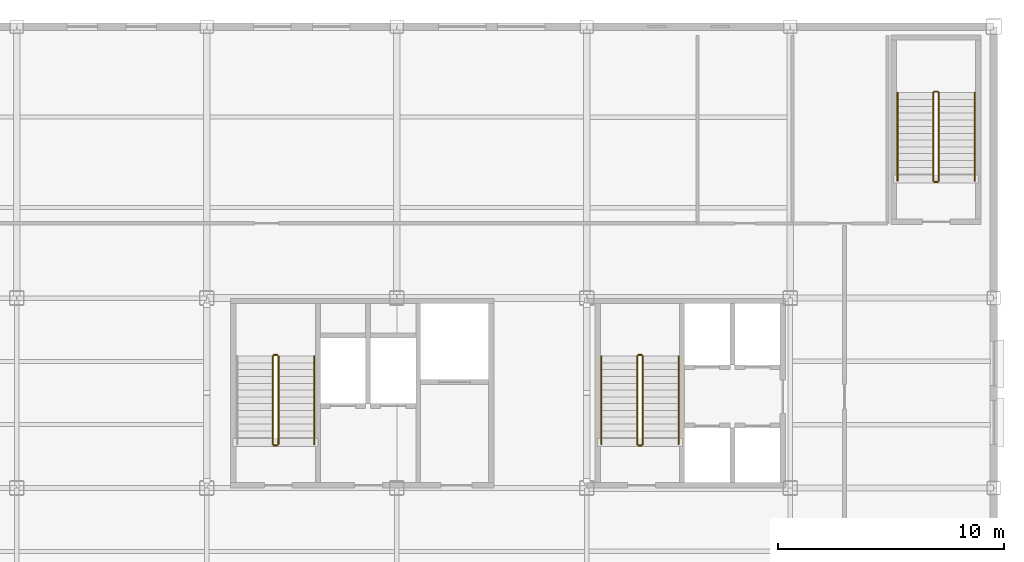
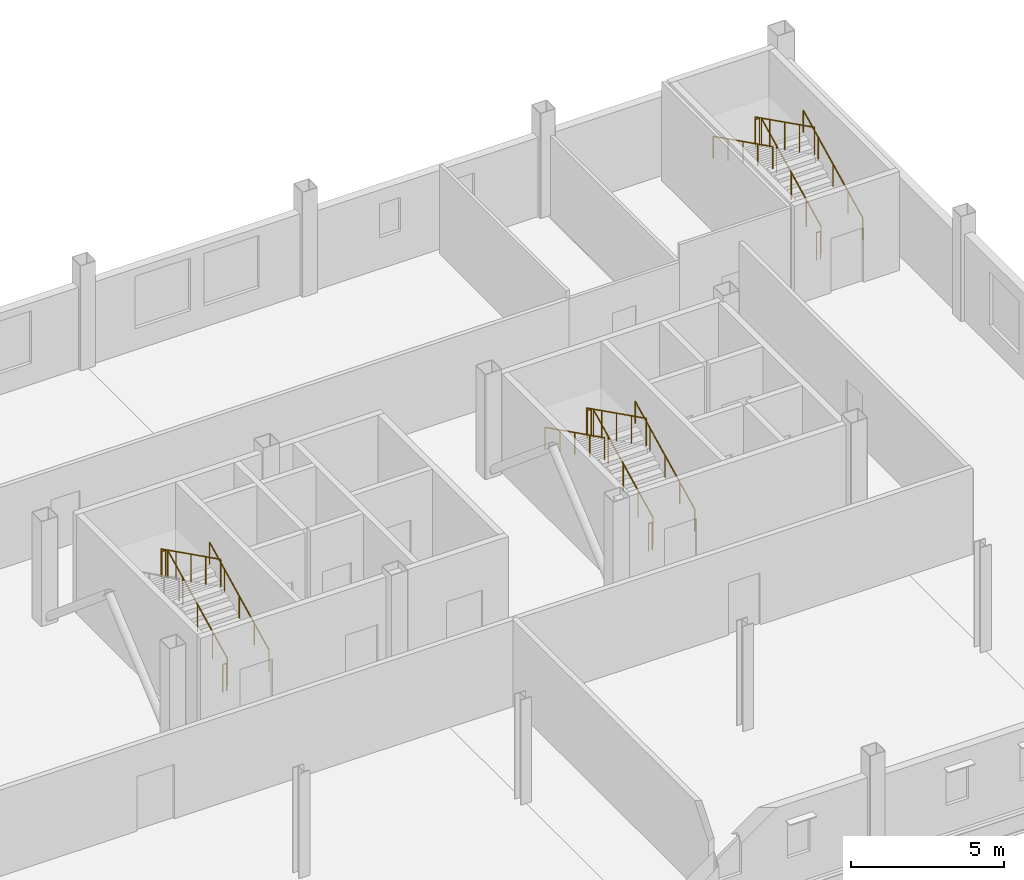
# One storey, part 75 of 75: 17 railings.
"""IFC4 building model written with IfcOpenShell, lengths in metres."""

from ifc_helpers import new_model, si_unit, direction, frame, origin, origin_2d, place, context, subcontext, project, spatial, circle, extrude, material, layer, layer_set, type_object, element, save


model = new_model("IFC4")

# Units and contexts
model_context = context("Model", 3, precision=1e-05, world=origin(), true_north=direction((0.0, 1.0)))
body_context = subcontext(model_context, "Body", "Model", "MODEL_VIEW")
ifc_project = project(units=[si_unit("LENGTHUNIT", "METRE"), si_unit("AREAUNIT", "SQUARE_METRE"), si_unit("VOLUMEUNIT", "CUBIC_METRE"), si_unit("PLANEANGLEUNIT", "RADIAN"), si_unit("MASSUNIT", "GRAM", prefix="KILO")], contexts=[model_context])

# Site, building, storey
site_placement = place(None, origin())
site = spatial("IfcSite", under=ifc_project, at=site_placement, CompositionType="ELEMENT")
building_placement = place(site_placement, origin())
building = spatial("IfcBuilding", under=site, at=building_placement, Name="Yukiwa Park Conservatory and Herbarium", CompositionType="ELEMENT")
storey_placement = place(building_placement, frame((0.0, 0.0, 4.800048828125)))
storey = spatial("IfcBuildingStorey", under=building, at=storey_placement, Name="L01", CompositionType="ELEMENT", Elevation=4.800048828125)

# Railings
ifc_material_1 = material(Name="Steel Q235B", Category="steel")
ifc_layer_1 = layer(ifc_material_1, 0.050048828125)
ifc_layer_set_1 = layer_set([ifc_layer_1], Name="Steel Q235B")
railing_type_1 = type_object("IfcRailingType", Name="RL-STAIR-GUARD-1120", PredefinedType="BALUSTRADE", material=ifc_layer_set_1)
railing_1_placement = place(storey_placement, frame((136.3701171875, 96.72998046875, 0.14990234375)))
element("IfcRailing", 1, at=railing_1_placement, inside=storey, type_object=railing_type_1, Name="L01 ST-T1 stair guard 1", PredefinedType="BALUSTRADE", context=body_context, shape_type="SweptSolid", body=[
    extrude(circle(Radius=0.02392578125, at=origin_2d()), frame((0.0, 0.0, 1.09619140625), z_axis=(0.0, 0.894427191, 0.4472135955), x_axis=(-1.0, 0.0, 0.0)), (0.0, 0.0, 1.0), 4.360107421875),
    extrude(circle(Radius=0.02099609375, at=origin_2d()), origin(), (0.0, 0.0, 1.0), 1.072021484375),
    extrude(circle(Radius=0.02099609375, at=origin_2d()), frame((0.0, 0.97509765625, 0.487548828125)), (0.0, 0.0, 1.0), 1.072021484375),
    extrude(circle(Radius=0.02099609375, at=origin_2d()), frame((0.0, 1.949951171875, 0.97509765625)), (0.0, 0.0, 1.0), 1.072021484375),
    extrude(circle(Radius=0.02099609375, at=origin_2d()), frame((0.0, 2.9248046875, 1.46240234375)), (0.0, 0.0, 1.0), 1.072021484375),
    extrude(circle(Radius=0.02099609375, at=origin_2d()), frame((0.0, 3.89990234375, 1.949951171875)), (0.0, 0.0, 1.0), 1.072021484375),
])
railing_2_placement = place(storey_placement, frame((136.320068359375, 100.679931640625, 2.099853515625)))
element("IfcRailing", 2, at=railing_2_placement, inside=storey, type_object=railing_type_1, Name="L01 ST-T1 stair guard 2", PredefinedType="BALUSTRADE", context=body_context, shape_type="SweptSolid", body=[
    extrude(circle(Radius=0.02392578125, at=origin_2d()), frame((0.0, 0.0, 1.09619140625), z_axis=(-1.0, 0.0, 0.0), x_axis=(0.0, -1.0, 0.0)), (0.0, 0.0, 1.0), 0.150146484375),
    extrude(circle(Radius=0.02099609375, at=origin_2d()), origin(), (0.0, 0.0, 1.0), 1.072021484375),
    extrude(circle(Radius=0.02099609375, at=origin_2d()), frame((-0.150146484375, 0.0, 0.0)), (0.0, 0.0, 1.0), 1.072021484375),
])
railing_3_placement = place(storey_placement, frame((136.1201171875, 100.6298828125, 2.25)))
element("IfcRailing", 3, at=railing_3_placement, inside=storey, type_object=railing_type_1, Name="L01 ST-T1 stair guard 3", PredefinedType="BALUSTRADE", context=body_context, shape_type="SweptSolid", body=[
    extrude(circle(Radius=0.02392578125, at=origin_2d()), frame((0.0, 0.0, 1.09619140625), z_axis=(0.0, -0.894427191, 0.4472135955), x_axis=(1.0, 0.0, 0.0)), (0.0, 0.0, 1.0), 4.360107421875),
    extrude(circle(Radius=0.02099609375, at=origin_2d()), origin(), (0.0, 0.0, 1.0), 1.072021484375),
    extrude(circle(Radius=0.02099609375, at=origin_2d()), frame((0.0, -0.97509765625, 0.487548828125)), (0.0, 0.0, 1.0), 1.072021484375),
    extrude(circle(Radius=0.02099609375, at=origin_2d()), frame((0.0, -1.949951171875, 0.97509765625)), (0.0, 0.0, 1.0), 1.072021484375),
    extrude(circle(Radius=0.02099609375, at=origin_2d()), frame((0.0, -2.9248046875, 1.46240234375)), (0.0, 0.0, 1.0), 1.072021484375),
    extrude(circle(Radius=0.02099609375, at=origin_2d()), frame((0.0, -3.89990234375, 1.949951171875)), (0.0, 0.0, 1.0), 1.072021484375),
])
railing_4_placement = place(storey_placement, frame((136.320068359375, 96.679931640625, 0.0)))
element("IfcRailing", 4, at=railing_4_placement, inside=storey, type_object=railing_type_1, Name="L01 ST-T1 stair guard 4", PredefinedType="BALUSTRADE", context=body_context, shape_type="SweptSolid", body=[
    extrude(circle(Radius=0.02392578125, at=origin_2d()), frame((0.0, 0.0, 1.09619140625), z_axis=(-1.0, 0.0, 0.0), x_axis=(0.0, -1.0, 0.0)), (0.0, 0.0, 1.0), 0.150146484375),
    extrude(circle(Radius=0.02099609375, at=origin_2d()), origin(), (0.0, 0.0, 1.0), 1.072021484375),
    extrude(circle(Radius=0.02099609375, at=origin_2d()), frame((-0.150146484375, 0.0, 0.0)), (0.0, 0.0, 1.0), 1.072021484375),
])
railing_5_placement = place(storey_placement, frame((152.47998046875, 96.72998046875, 0.14990234375)))
element("IfcRailing", 5, at=railing_5_placement, inside=storey, type_object=railing_type_1, Name="L01 ST-T2 stair guard 1", PredefinedType="BALUSTRADE", context=body_context, shape_type="SweptSolid", body=[
    extrude(circle(Radius=0.02392578125, at=origin_2d()), frame((0.0, 0.0, 1.09619140625), z_axis=(0.0, 0.894427191, 0.4472135955), x_axis=(-1.0, 0.0, 0.0)), (0.0, 0.0, 1.0), 4.360107421875),
    extrude(circle(Radius=0.02099609375, at=origin_2d()), origin(), (0.0, 0.0, 1.0), 1.072021484375),
    extrude(circle(Radius=0.02099609375, at=origin_2d()), frame((0.0, 0.97509765625, 0.487548828125)), (0.0, 0.0, 1.0), 1.072021484375),
    extrude(circle(Radius=0.02099609375, at=origin_2d()), frame((0.0, 1.949951171875, 0.97509765625)), (0.0, 0.0, 1.0), 1.072021484375),
    extrude(circle(Radius=0.02099609375, at=origin_2d()), frame((0.0, 2.9248046875, 1.46240234375)), (0.0, 0.0, 1.0), 1.072021484375),
    extrude(circle(Radius=0.02099609375, at=origin_2d()), frame((0.0, 3.89990234375, 1.949951171875)), (0.0, 0.0, 1.0), 1.072021484375),
])
railing_6_placement = place(storey_placement, frame((152.429931640625, 100.679931640625, 2.099853515625)))
element("IfcRailing", 6, at=railing_6_placement, inside=storey, type_object=railing_type_1, Name="L01 ST-T2 stair guard 2", PredefinedType="BALUSTRADE", context=body_context, shape_type="SweptSolid", body=[
    extrude(circle(Radius=0.02392578125, at=origin_2d()), frame((0.0, 0.0, 1.09619140625), z_axis=(-1.0, 0.0, 0.0), x_axis=(0.0, -1.0, 0.0)), (0.0, 0.0, 1.0), 0.14990234375),
    extrude(circle(Radius=0.02099609375, at=origin_2d()), origin(), (0.0, 0.0, 1.0), 1.072021484375),
    extrude(circle(Radius=0.02099609375, at=origin_2d()), frame((-0.14990234375, 0.0, 0.0)), (0.0, 0.0, 1.0), 1.072021484375),
])
railing_7_placement = place(storey_placement, frame((152.22998046875, 100.6298828125, 2.25)))
element("IfcRailing", 7, at=railing_7_placement, inside=storey, type_object=railing_type_1, Name="L01 ST-T2 stair guard 3", PredefinedType="BALUSTRADE", context=body_context, shape_type="SweptSolid", body=[
    extrude(circle(Radius=0.02392578125, at=origin_2d()), frame((0.0, 0.0, 1.09619140625), z_axis=(0.0, -0.894427191, 0.4472135955), x_axis=(1.0, 0.0, 0.0)), (0.0, 0.0, 1.0), 4.360107421875),
    extrude(circle(Radius=0.02099609375, at=origin_2d()), origin(), (0.0, 0.0, 1.0), 1.072021484375),
    extrude(circle(Radius=0.02099609375, at=origin_2d()), frame((0.0, -0.97509765625, 0.487548828125)), (0.0, 0.0, 1.0), 1.072021484375),
    extrude(circle(Radius=0.02099609375, at=origin_2d()), frame((0.0, -1.949951171875, 0.97509765625)), (0.0, 0.0, 1.0), 1.072021484375),
    extrude(circle(Radius=0.02099609375, at=origin_2d()), frame((0.0, -2.9248046875, 1.46240234375)), (0.0, 0.0, 1.0), 1.072021484375),
    extrude(circle(Radius=0.02099609375, at=origin_2d()), frame((0.0, -3.89990234375, 1.949951171875)), (0.0, 0.0, 1.0), 1.072021484375),
])
railing_8_placement = place(storey_placement, frame((152.429931640625, 96.679931640625, 0.0)))
element("IfcRailing", 8, at=railing_8_placement, inside=storey, type_object=railing_type_1, Name="L01 ST-T2 stair guard 4", PredefinedType="BALUSTRADE", context=body_context, shape_type="SweptSolid", body=[
    extrude(circle(Radius=0.02392578125, at=origin_2d()), frame((0.0, 0.0, 1.09619140625), z_axis=(-1.0, 0.0, 0.0), x_axis=(0.0, -1.0, 0.0)), (0.0, 0.0, 1.0), 0.14990234375),
    extrude(circle(Radius=0.02099609375, at=origin_2d()), origin(), (0.0, 0.0, 1.0), 1.072021484375),
    extrude(circle(Radius=0.02099609375, at=origin_2d()), frame((-0.14990234375, 0.0, 0.0)), (0.0, 0.0, 1.0), 1.072021484375),
])
railing_9_placement = place(storey_placement, frame((165.570068359375, 108.3798828125, 0.14990234375)))
element("IfcRailing", 9, at=railing_9_placement, inside=storey, type_object=railing_type_1, Name="L01 ST-T3 stair guard 1", PredefinedType="BALUSTRADE", context=body_context, shape_type="SweptSolid", body=[
    extrude(circle(Radius=0.02392578125, at=origin_2d()), frame((0.0, 0.0, 1.09619140625), z_axis=(0.0, 0.894438388696, 0.447191199406), x_axis=(-1.0, 0.0, 0.0)), (0.0, 0.0, 1.0), 4.3603515625),
    extrude(circle(Radius=0.02099609375, at=origin_2d()), origin(), (0.0, 0.0, 1.0), 1.072021484375),
    extrude(circle(Radius=0.02099609375, at=origin_2d()), frame((0.0, 0.97509765625, 0.487548828125)), (0.0, 0.0, 1.0), 1.072021484375),
    extrude(circle(Radius=0.02099609375, at=origin_2d()), frame((0.0, 1.9501953125, 0.97509765625)), (0.0, 0.0, 1.0), 1.072021484375),
    extrude(circle(Radius=0.02099609375, at=origin_2d()), frame((0.0, 2.925048828125, 1.46240234375)), (0.0, 0.0, 1.0), 1.072021484375),
    extrude(circle(Radius=0.02099609375, at=origin_2d()), frame((0.0, 3.900146484375, 1.949951171875)), (0.0, 0.0, 1.0), 1.072021484375),
])
railing_10_placement = place(storey_placement, frame((165.52001953125, 112.330078125, 2.099853515625)))
element("IfcRailing", 10, at=railing_10_placement, inside=storey, type_object=railing_type_1, Name="L01 ST-T3 stair guard 2", PredefinedType="BALUSTRADE", context=body_context, shape_type="SweptSolid", body=[
    extrude(circle(Radius=0.02392578125, at=origin_2d()), frame((0.0, 0.0, 1.09619140625), z_axis=(-1.0, 0.0, 0.0), x_axis=(0.0, -1.0, 0.0)), (0.0, 0.0, 1.0), 0.14990234375),
    extrude(circle(Radius=0.02099609375, at=origin_2d()), origin(), (0.0, 0.0, 1.0), 1.072021484375),
    extrude(circle(Radius=0.02099609375, at=origin_2d()), frame((-0.14990234375, 0.0, 0.0)), (0.0, 0.0, 1.0), 1.072021484375),
])
railing_11_placement = place(storey_placement, frame((165.320068359375, 112.280029296875, 2.25)))
element("IfcRailing", 11, at=railing_11_placement, inside=storey, type_object=railing_type_1, Name="L01 ST-T3 stair guard 3", PredefinedType="BALUSTRADE", context=body_context, shape_type="SweptSolid", body=[
    extrude(circle(Radius=0.02392578125, at=origin_2d()), frame((0.0, 0.0, 1.09619140625), z_axis=(0.0, -0.894438388696, 0.447191199406), x_axis=(1.0, 0.0, 0.0)), (0.0, 0.0, 1.0), 4.3603515625),
    extrude(circle(Radius=0.02099609375, at=origin_2d()), origin(), (0.0, 0.0, 1.0), 1.072021484375),
    extrude(circle(Radius=0.02099609375, at=origin_2d()), frame((0.0, -0.97509765625, 0.487548828125)), (0.0, 0.0, 1.0), 1.072021484375),
    extrude(circle(Radius=0.02099609375, at=origin_2d()), frame((0.0, -1.9501953125, 0.97509765625)), (0.0, 0.0, 1.0), 1.072021484375),
    extrude(circle(Radius=0.02099609375, at=origin_2d()), frame((0.0, -2.925048828125, 1.46240234375)), (0.0, 0.0, 1.0), 1.072021484375),
    extrude(circle(Radius=0.02099609375, at=origin_2d()), frame((0.0, -3.900146484375, 1.949951171875)), (0.0, 0.0, 1.0), 1.072021484375),
])
railing_12_placement = place(storey_placement, frame((165.52001953125, 108.330078125, 0.0)))
element("IfcRailing", 12, at=railing_12_placement, inside=storey, type_object=railing_type_1, Name="L01 ST-T3 stair guard 4", PredefinedType="BALUSTRADE", context=body_context, shape_type="SweptSolid", body=[
    extrude(circle(Radius=0.02392578125, at=origin_2d()), frame((0.0, 0.0, 1.09619140625), z_axis=(-1.0, 0.0, 0.0), x_axis=(0.0, -1.0, 0.0)), (0.0, 0.0, 1.0), 0.14990234375),
    extrude(circle(Radius=0.02099609375, at=origin_2d()), origin(), (0.0, 0.0, 1.0), 1.072021484375),
    extrude(circle(Radius=0.02099609375, at=origin_2d()), frame((-0.14990234375, 0.0, 0.0)), (0.0, 0.0, 1.0), 1.072021484375),
])
ifc_material_2 = material(Name="Steel Q235B", Category="steel")
ifc_layer_2 = layer(ifc_material_2, 0.044921875)
ifc_layer_set_2 = layer_set([ifc_layer_2], Name="Steel Q235B")
railing_type_2 = type_object("IfcRailingType", Name="RL-STAIR-RAIL-900", PredefinedType="HANDRAIL", material=ifc_layer_set_2)
for number, where, name in (
    (13, (137.949951171875, 96.72998046875, 0.14990234375), "L01 ST-T1 stair handrail 1"),
    (14, (154.06005859375, 96.72998046875, 0.14990234375), "L01 ST-T2 stair handrail 1"),
):
    element("IfcRailing", number, at=place(storey_placement, frame(where)), inside=storey, type_object=railing_type_2, Name=name, PredefinedType="HANDRAIL", context=body_context, shape_type="SweptSolid", body=[
        extrude(circle(Radius=0.02392578125, at=origin_2d()), frame((0.0, 0.0, 0.8759765625), z_axis=(0.0, 0.894427191, 0.4472135955), x_axis=(-1.0, 0.0, 0.0)), (0.0, 0.0, 1.0), 4.360107421875),
        extrude(circle(Radius=0.02099609375, at=origin_2d()), origin(), (0.0, 0.0, 1.0), 0.851806640625),
        extrude(circle(Radius=0.02099609375, at=origin_2d()), frame((0.0, 0.97509765625, 0.487548828125)), (0.0, 0.0, 1.0), 0.851806640625),
        extrude(circle(Radius=0.02099609375, at=origin_2d()), frame((0.0, 1.949951171875, 0.97509765625)), (0.0, 0.0, 1.0), 0.851806640625),
        extrude(circle(Radius=0.02099609375, at=origin_2d()), frame((0.0, 2.9248046875, 1.46240234375)), (0.0, 0.0, 1.0), 0.851806640625),
        extrude(circle(Radius=0.02099609375, at=origin_2d()), frame((0.0, 3.89990234375, 1.949951171875)), (0.0, 0.0, 1.0), 0.851806640625),
    ])
railing_13_placement = place(storey_placement, frame((150.64990234375, 100.6298828125, 2.25)))
element("IfcRailing", 15, at=railing_13_placement, inside=storey, type_object=railing_type_2, Name="L01 ST-T2 stair handrail 2", PredefinedType="HANDRAIL", context=body_context, shape_type="SweptSolid", body=[
    extrude(circle(Radius=0.02392578125, at=origin_2d()), frame((0.0, 0.0, 0.8759765625), z_axis=(0.0, -0.894427191, 0.4472135955), x_axis=(1.0, 0.0, 0.0)), (0.0, 0.0, 1.0), 4.360107421875),
    extrude(circle(Radius=0.02099609375, at=origin_2d()), origin(), (0.0, 0.0, 1.0), 0.851806640625),
    extrude(circle(Radius=0.02099609375, at=origin_2d()), frame((0.0, -0.97509765625, 0.487548828125)), (0.0, 0.0, 1.0), 0.851806640625),
    extrude(circle(Radius=0.02099609375, at=origin_2d()), frame((0.0, -1.949951171875, 0.97509765625)), (0.0, 0.0, 1.0), 0.851806640625),
    extrude(circle(Radius=0.02099609375, at=origin_2d()), frame((0.0, -2.9248046875, 1.46240234375)), (0.0, 0.0, 1.0), 0.851806640625),
    extrude(circle(Radius=0.02099609375, at=origin_2d()), frame((0.0, -3.89990234375, 1.949951171875)), (0.0, 0.0, 1.0), 0.851806640625),
])
railing_14_placement = place(storey_placement, frame((167.14990234375, 108.3798828125, 0.14990234375)))
element("IfcRailing", 16, at=railing_14_placement, inside=storey, type_object=railing_type_2, Name="L01 ST-T3 stair handrail 1", PredefinedType="HANDRAIL", context=body_context, shape_type="SweptSolid", body=[
    extrude(circle(Radius=0.02392578125, at=origin_2d()), frame((0.0, 0.0, 0.8759765625), z_axis=(0.0, 0.894438388696, 0.447191199406), x_axis=(-1.0, 0.0, 0.0)), (0.0, 0.0, 1.0), 4.3603515625),
    extrude(circle(Radius=0.02099609375, at=origin_2d()), origin(), (0.0, 0.0, 1.0), 0.851806640625),
    extrude(circle(Radius=0.02099609375, at=origin_2d()), frame((0.0, 0.97509765625, 0.487548828125)), (0.0, 0.0, 1.0), 0.851806640625),
    extrude(circle(Radius=0.02099609375, at=origin_2d()), frame((0.0, 1.9501953125, 0.97509765625)), (0.0, 0.0, 1.0), 0.851806640625),
    extrude(circle(Radius=0.02099609375, at=origin_2d()), frame((0.0, 2.925048828125, 1.46240234375)), (0.0, 0.0, 1.0), 0.851806640625),
    extrude(circle(Radius=0.02099609375, at=origin_2d()), frame((0.0, 3.900146484375, 1.949951171875)), (0.0, 0.0, 1.0), 0.851806640625),
])
railing_15_placement = place(storey_placement, frame((163.739990234375, 112.280029296875, 2.25)))
element("IfcRailing", 17, at=railing_15_placement, inside=storey, type_object=railing_type_2, Name="L01 ST-T3 stair handrail 2", PredefinedType="HANDRAIL", context=body_context, shape_type="SweptSolid", body=[
    extrude(circle(Radius=0.02392578125, at=origin_2d()), frame((0.0, 0.0, 0.8759765625), z_axis=(0.0, -0.894438388696, 0.447191199406), x_axis=(1.0, 0.0, 0.0)), (0.0, 0.0, 1.0), 4.3603515625),
    extrude(circle(Radius=0.02099609375, at=origin_2d()), origin(), (0.0, 0.0, 1.0), 0.851806640625),
    extrude(circle(Radius=0.02099609375, at=origin_2d()), frame((0.0, -0.97509765625, 0.487548828125)), (0.0, 0.0, 1.0), 0.851806640625),
    extrude(circle(Radius=0.02099609375, at=origin_2d()), frame((0.0, -1.9501953125, 0.97509765625)), (0.0, 0.0, 1.0), 0.851806640625),
    extrude(circle(Radius=0.02099609375, at=origin_2d()), frame((0.0, -2.925048828125, 1.46240234375)), (0.0, 0.0, 1.0), 0.851806640625),
    extrude(circle(Radius=0.02099609375, at=origin_2d()), frame((0.0, -3.900146484375, 1.949951171875)), (0.0, 0.0, 1.0), 0.851806640625),
])

save(model, "model.ifc")
